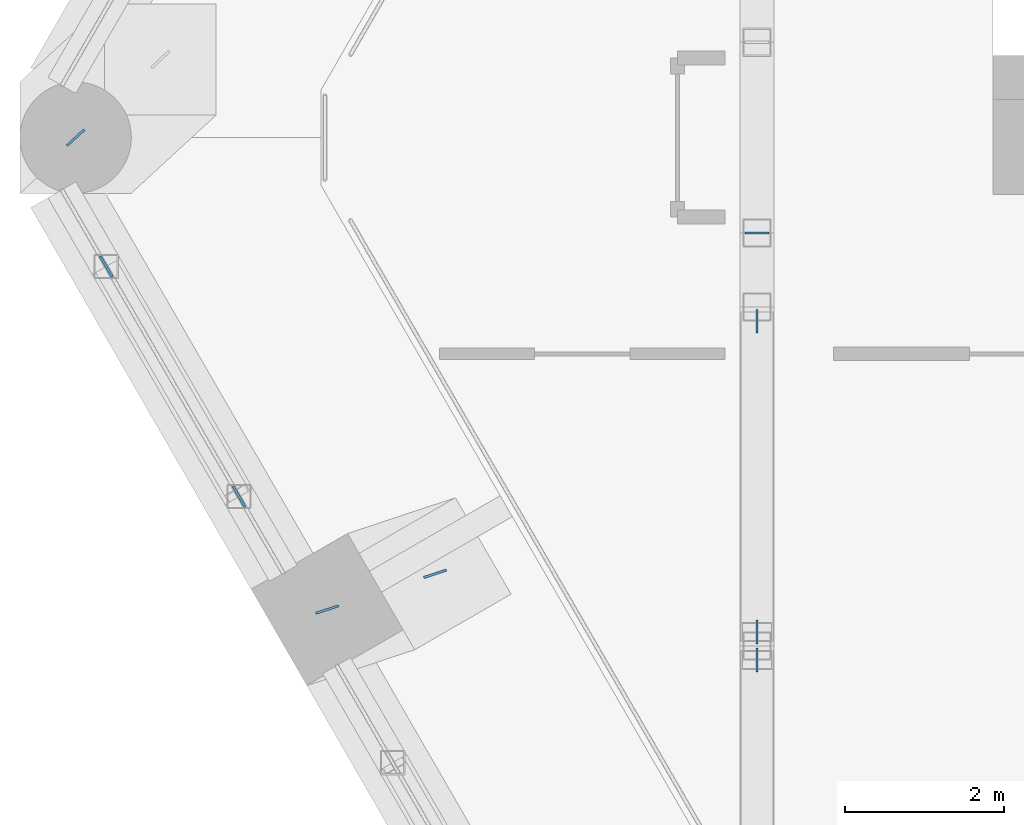
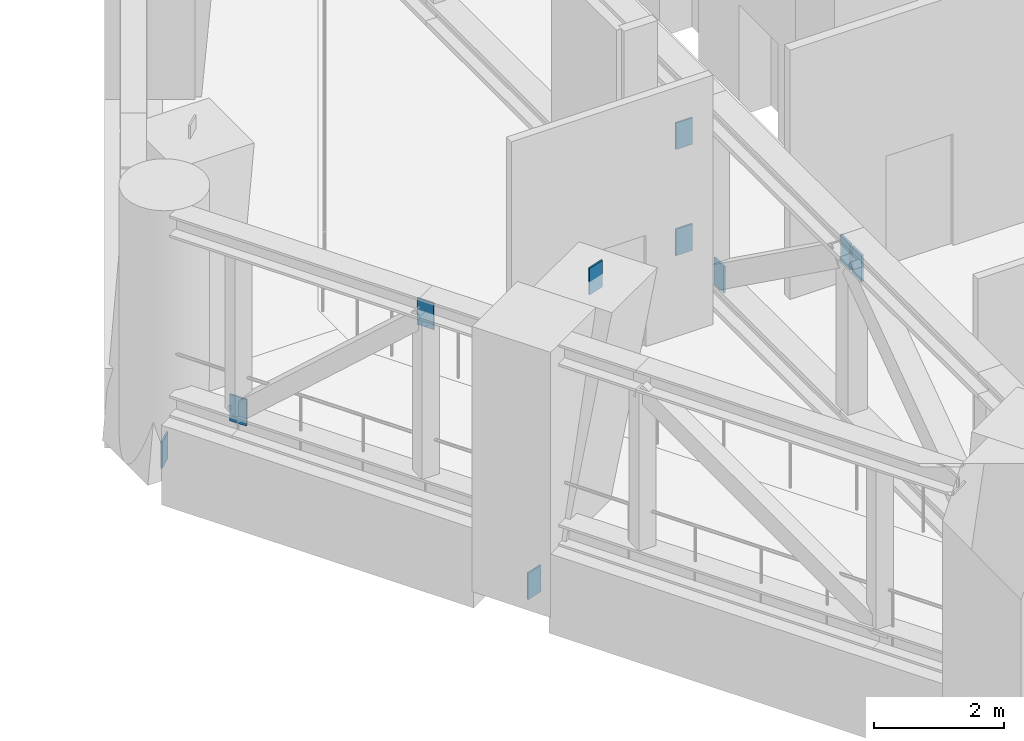
# One storey, part 12 of 20: 10 discrete accessories.
"""IFC4 building model written with IfcOpenShell, lengths in metres."""

from ifc_helpers import new_model, si_unit, direction, frame, origin, origin_2d, place, context, subcontext, project, spatial, rectangle, extrude, material, layer, layer_set, type_object, element, save


model = new_model("IFC4")

# Units and contexts
model_context = context("Model", 3, precision=1e-05, world=origin(), true_north=direction((0.0, 1.0)))
body_context = subcontext(model_context, "Body", "Model", "MODEL_VIEW")
ifc_project = project(units=[si_unit("LENGTHUNIT", "METRE"), si_unit("AREAUNIT", "SQUARE_METRE"), si_unit("VOLUMEUNIT", "CUBIC_METRE"), si_unit("PLANEANGLEUNIT", "RADIAN"), si_unit("MASSUNIT", "GRAM", prefix="KILO")], contexts=[model_context])

# Site, building, storey
site_placement = place(None, origin())
site = spatial("IfcSite", under=ifc_project, at=site_placement, CompositionType="ELEMENT")
building_placement = place(site_placement, origin())
building = spatial("IfcBuilding", under=site, at=building_placement, Name="Ostrander Bayou Hotel Tower", CompositionType="ELEMENT")
storey_placement = place(building_placement, frame((0.0, 0.0, 80.5)))
storey = spatial("IfcBuildingStorey", under=building, at=storey_placement, Name="L20", CompositionType="ELEMENT", Elevation=80.5)

# Discrete accessories
ifc_material = material(Name="Steel ASTM A572 Gr 50", Category="steel")
ifc_layer = layer(ifc_material, 0.030029296875)
ifc_layer_set = layer_set([ifc_layer], Name="GP1 gusset plate 30 mm")
discrete_accessory_type = type_object("IfcDiscreteAccessoryType", Name="GP1 gusset plate 30 mm", PredefinedType="BRACKET", material=ifc_layer_set)
for number, where, z_axis, x_axis, name in (
    (1, (-23.150390625, -2.6025390625, 0.157470703125), (0.0, 0.0, 1.0), (0.500015114919, -0.866016677006, 0.0), "GP1 gusset plate belt 5"),
    (2, (-21.479248046875, -5.49658203125, 3.142578125), (0.0, 0.0, 1.0), (0.500015114919, -0.866016677006, 0.0), "GP1 gusset plate belt 6"),
    (3, (-14.965087890625, -2.181884765625, 0.247802734375), (0.0, 0.0, 1.0), (1.0, 0.0, 0.0), "GP1 gusset plate bar 11"),
    (4, (-14.965087890625, -2.181884765625, 2.25), (0.0, 0.0, 1.0), (1.0, 0.0, 0.0), "GP1 gusset plate bar 12"),
    (5, (-14.965087890625, -3.291015625, 0.247802734375), (0.0, 0.0, 1.0), (0.0, -1.0, 0.0), "GP1 gusset plate bar 13"),
    (6, (-14.965087890625, -7.19775390625, 3.05224609375), (0.0, 0.0, 1.0), (0.0, -1.0, 0.0), "GP1 gusset plate bar 14"),
    (7, (-14.965087890625, -7.55322265625, 3.05224609375), (0.0, 0.0, 1.0), (0.0, 1.0, 0.0), "GP1 gusset plate bar 16"),
    (8, (-23.5341796875, -0.98193359375, -1.449951171875), (0.0, 0.0, 1.0), (0.735269577966, 0.677774776543, 0.0), "GP1 gusset plate belt 51"),
    (9, (-20.370849609375, -6.916748046875, -1.449951171875), (0.0, 0.0, 1.0), (0.949151106053, 0.314820866332, 0.0), "GP1 gusset plate belt 69"),
    (10, (-19.01416015625, -6.466796875, 3.550048828125), (0.0, 0.0, 1.0), (0.949151106053, 0.314820866332, 0.0), "GP1 gusset plate belt 70"),
):
    element("IfcDiscreteAccessory", number, at=place(storey_placement, frame(where, z_axis=z_axis, x_axis=x_axis)), inside=storey, type_object=discrete_accessory_type, Name=name, PredefinedType="BRACKET", context=body_context, shape_type="SweptSolid", body=[
        extrude(rectangle(XDim=0.300048828125, YDim=0.030029296875, at=origin_2d()), origin(), (0.0, 0.0, 1.0), 0.5),
    ])

save(model, "model.ifc")
